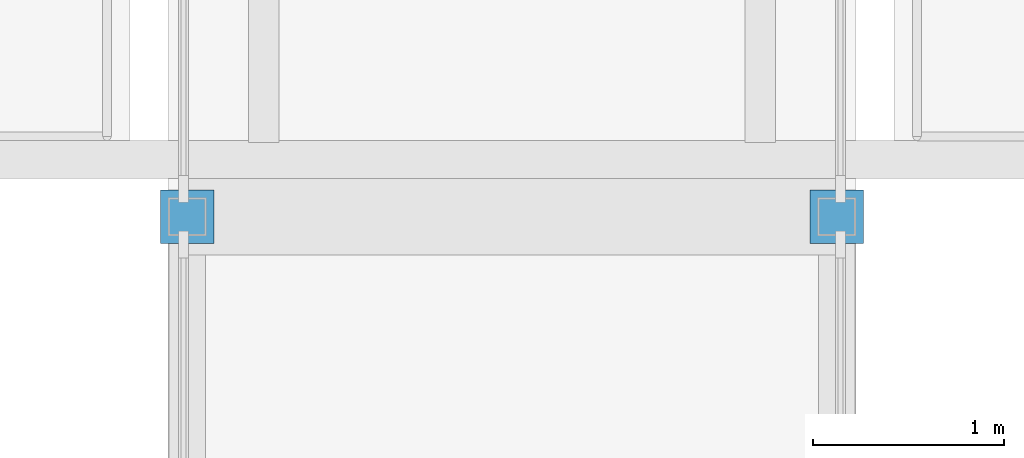
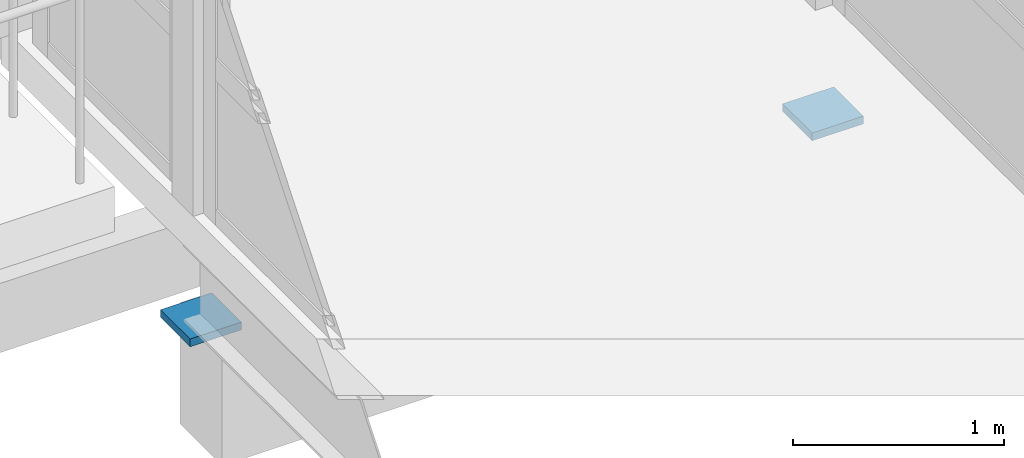
# One storey, part 117 of 138: 2 discrete accessories.
"""IFC4 building model written with IfcOpenShell, lengths in metres."""

from ifc_helpers import new_model, si_unit, direction, frame, origin, origin_2d, place, context, subcontext, project, spatial, rectangle, extrude, material, type_object, element, save


model = new_model("IFC4")

# Units and contexts
model_context = context("Model", 3, precision=1e-05, world=origin(), true_north=direction((0.0, 1.0)))
body_context = subcontext(model_context, "Body", "Model", "MODEL_VIEW")
ifc_project = project(units=[si_unit("LENGTHUNIT", "METRE"), si_unit("AREAUNIT", "SQUARE_METRE"), si_unit("VOLUMEUNIT", "CUBIC_METRE"), si_unit("PLANEANGLEUNIT", "RADIAN"), si_unit("MASSUNIT", "GRAM", prefix="KILO")], contexts=[model_context])

# Site, building, storey
site_placement = place(None, origin())
site = spatial("IfcSite", under=ifc_project, at=site_placement, CompositionType="ELEMENT")
building_placement = place(site_placement, origin())
building = spatial("IfcBuilding", under=site, at=building_placement, Name="Celorna Specialist Clinic", CompositionType="ELEMENT")
storey_placement = place(building_placement, frame((0.0, 0.0, 4.800048828125)))
storey = spatial("IfcBuildingStorey", under=building, at=storey_placement, Name="L01", CompositionType="ELEMENT", Elevation=4.800048828125)

# Discrete accessories
ifc_material = material(Name="Biaxially unguided PTFE elastomeric sliding bearing")
discrete_accessory_type = type_object("IfcDiscreteAccessoryType", Name="SBG-01", PredefinedType="USERDEFINED", material=ifc_material)
for number, where, z_axis, x_axis, name in (
    (1, (142.60009765625, 96.199951171875, -0.715087890625), (0.0, 0.0, 1.0), (1.0, 0.0, 0.0), "Unguided PTFE bridge sliding bearing BR-05 L01"),
    (2, (146.0, 96.199951171875, -0.715087890625), (0.0, 0.0, 1.0), (1.0, 0.0, 0.0), "Unguided PTFE bridge sliding bearing BR-05 L01"),
):
    element("IfcDiscreteAccessory", number, at=place(storey_placement, frame(where, z_axis=z_axis, x_axis=x_axis)), inside=storey, type_object=discrete_accessory_type, Name=name, ObjectType="SLIDING BEARING", PredefinedType="USERDEFINED", context=body_context, shape_type="SweptSolid", body=[
        extrude(rectangle(XDim=0.280029296875, YDim=0.280029296875, at=origin_2d()), origin(), (0.0, 0.0, 1.0), 0.044921875),
    ])

save(model, "model.ifc")
